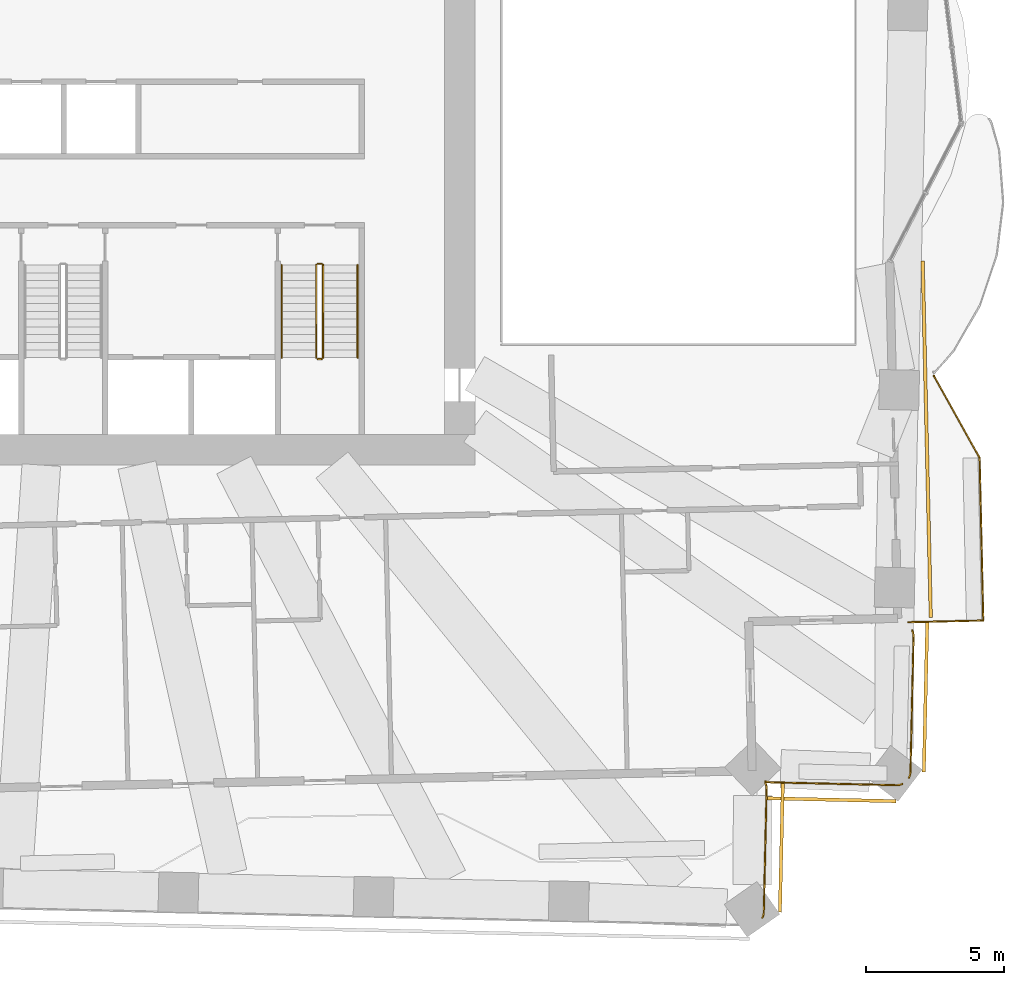
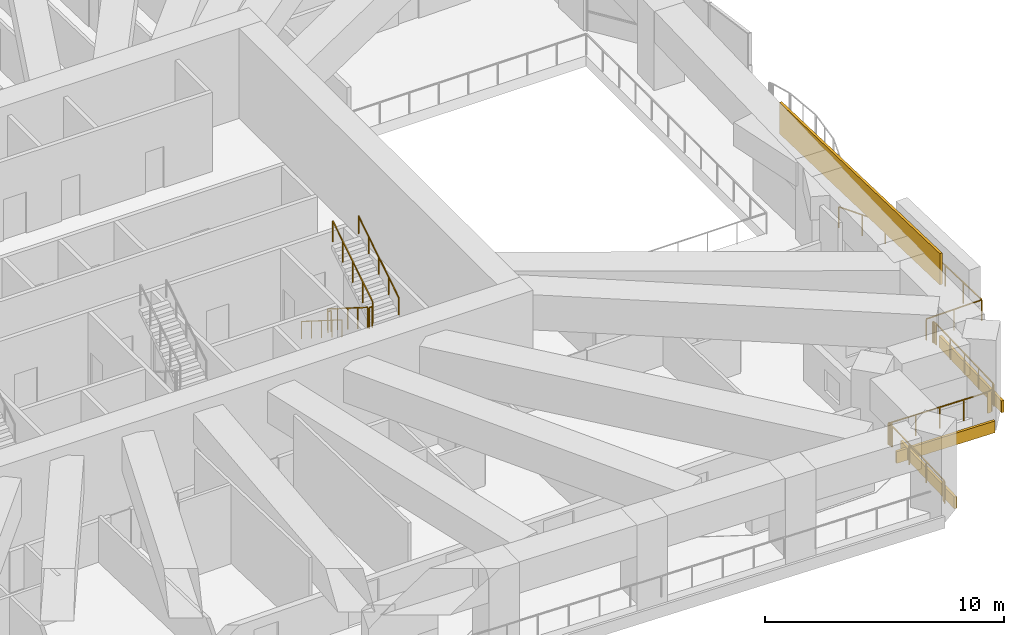
# One storey, part 18 of 20: 10 railings, 4 coverings.
"""IFC4 building model written with IfcOpenShell, lengths in metres."""

from ifc_helpers import new_model, si_unit, direction, frame, frame_2d, origin, origin_2d, place, context, subcontext, project, spatial, rectangle, circle, extrude, material, layer, layer_set, type_object, element, save


model = new_model("IFC4")

# Units and contexts
model_context = context("Model", 3, precision=1e-05, world=origin(), true_north=direction((0.0, 1.0)))
body_context = subcontext(model_context, "Body", "Model", "MODEL_VIEW")
ifc_project = project(units=[si_unit("LENGTHUNIT", "METRE"), si_unit("AREAUNIT", "SQUARE_METRE"), si_unit("VOLUMEUNIT", "CUBIC_METRE"), si_unit("PLANEANGLEUNIT", "RADIAN"), si_unit("MASSUNIT", "GRAM", prefix="KILO")], contexts=[model_context])

# Site, building, storey
site_placement = place(None, origin())
site = spatial("IfcSite", under=ifc_project, at=site_placement, CompositionType="ELEMENT")
building_placement = place(site_placement, origin())
building = spatial("IfcBuilding", under=site, at=building_placement, Name="Mangrove Gate Tower", CompositionType="ELEMENT")
storey_placement = place(building_placement, frame((0.0, 0.0, 74.699951171875)))
storey = spatial("IfcBuildingStorey", under=building, at=storey_placement, Name="L18", CompositionType="ELEMENT", Elevation=74.699951171875)

# Railings
ifc_material_1 = material(Name="Stainless steel grade 316 with laminated glass infill", Category="steel")
railing_type_1 = type_object("IfcRailingType", Name="Balcony guard 1100", PredefinedType="GUARDRAIL", material=ifc_material_1)
railing_1_placement = place(storey_placement, frame((30.6220703125, -17.596923828125, 0.0)))
element("IfcRailing", 1, at=railing_1_placement, inside=storey, type_object=railing_type_1, Name="GUARD L18 E1", PredefinedType="GUARDRAIL", context=body_context, shape_type="SweptSolid", body=[
    extrude(rectangle(XDim=0.048095703125, YDim=0.048095703125, at=origin_2d()), frame((0.0, 0.0, 1.076171875), z_axis=(0.999737723054, 0.02290163976, 0.0), x_axis=(-0.02290163976, 0.999737723054, 0.0)), (0.0, 0.0, 1.0), 2.707763671875),
    extrude(rectangle(XDim=0.048095703125, YDim=0.048095703125, at=origin_2d()), frame((2.70703125, 0.06201171875, 1.076171875), z_axis=(-0.02255407589, 0.999745624477, 0.0), x_axis=(-0.999745624477, -0.02255407589, 0.0)), (0.0, 0.0, 1.0), 5.8994140625),
    extrude(rectangle(XDim=0.048095703125, YDim=0.048095703125, at=origin_2d()), frame((2.573974609375, 5.9599609375, 1.076171875), z_axis=(-0.487321517922, 0.873222616616, 0.0), x_axis=(-0.873222616616, -0.487321517922, 0.0)), (0.0, 0.0, 1.0), 3.394287109375),
    extrude(rectangle(XDim=0.0419921875, YDim=0.0419921875, at=origin_2d()), origin(), (0.0, 0.0, 1.0), 1.052001953125),
    extrude(rectangle(XDim=0.0419921875, YDim=0.0419921875, at=origin_2d()), frame((1.353515625, 0.031005859375, 0.0)), (0.0, 0.0, 1.0), 1.052001953125),
    extrude(rectangle(XDim=0.0419921875, YDim=0.0419921875, at=origin_2d()), frame((2.70703125, 0.06201171875, 0.0)), (0.0, 0.0, 1.0), 1.052001953125),
    extrude(rectangle(XDim=0.0419921875, YDim=0.0419921875, at=origin_2d()), frame((2.673828125, 1.53662109375, 0.0)), (0.0, 0.0, 1.0), 1.052001953125),
    extrude(rectangle(XDim=0.0419921875, YDim=0.0419921875, at=origin_2d()), frame((2.640625, 3.010986328125, 0.0)), (0.0, 0.0, 1.0), 1.052001953125),
    extrude(rectangle(XDim=0.0419921875, YDim=0.0419921875, at=origin_2d()), frame((2.607177734375, 4.4853515625, 0.0)), (0.0, 0.0, 1.0), 1.052001953125),
    extrude(rectangle(XDim=0.0419921875, YDim=0.0419921875, at=origin_2d()), frame((2.573974609375, 5.9599609375, 0.0)), (0.0, 0.0, 1.0), 1.052001953125),
    extrude(rectangle(XDim=0.0419921875, YDim=0.0419921875, at=origin_2d()), frame((2.022705078125, 6.947998046875, 0.0)), (0.0, 0.0, 1.0), 1.052001953125),
    extrude(rectangle(XDim=0.0419921875, YDim=0.0419921875, at=origin_2d()), frame((1.47119140625, 7.935791015625, 0.0)), (0.0, 0.0, 1.0), 1.052001953125),
    extrude(rectangle(XDim=0.0419921875, YDim=0.0419921875, at=origin_2d()), frame((0.919921875, 8.923828125, 0.0)), (0.0, 0.0, 1.0), 1.052001953125),
])
railing_2_placement = place(storey_placement, frame((30.757080078125, -17.89794921875, 0.0)))
element("IfcRailing", 2, at=railing_2_placement, inside=storey, type_object=railing_type_1, Name="GUARD L18 T4.1", PredefinedType="GUARDRAIL", context=body_context, shape_type="SweptSolid", body=[
    extrude(rectangle(XDim=0.048095703125, YDim=0.048095703125, at=origin_2d()), frame((0.0, 0.0, 1.076171875), z_axis=(0.411288866935, -0.911505056451, 0.0), x_axis=(0.911505056451, 0.411288866935, 0.0)), (0.0, 0.0, 1.0), 0.02197265625),
    extrude(rectangle(XDim=0.048095703125, YDim=0.048095703125, at=origin_2d()), frame((0.009033203125, -0.02001953125, 1.076171875), z_axis=(0.330563814054, -0.943783643023, 0.0), x_axis=(0.943783643023, 0.330563814054, 0.0)), (0.0, 0.0, 1.0), 0.051025390625),
    extrude(rectangle(XDim=0.048095703125, YDim=0.048095703125, at=origin_2d()), frame((0.02587890625, -0.068115234375, 1.076171875), z_axis=(0.219512195122, -0.975609756098, 0.0), x_axis=(0.975609756098, 0.219512195122, 0.0)), (0.0, 0.0, 1.0), 0.050048828125),
    extrude(rectangle(XDim=0.048095703125, YDim=0.048095703125, at=origin_2d()), frame((0.036865234375, -0.116943359375, 1.076171875), z_axis=(0.140068835515, -0.990141768293, 0.0), x_axis=(0.990141768293, 0.140068835515, 0.0)), (0.0, 0.0, 1.0), 0.050537109375),
    extrude(rectangle(XDim=0.048095703125, YDim=0.048095703125, at=origin_2d()), frame((0.0439453125, -0.1669921875, 1.076171875), z_axis=(0.019508481785, -0.999809691461, 0.0), x_axis=(0.999809691461, 0.019508481785, 0.0)), (0.0, 0.0, 1.0), 0.050048828125),
    extrude(rectangle(XDim=0.048095703125, YDim=0.048095703125, at=origin_2d()), frame((0.044921875, -0.217041015625, 1.076171875), z_axis=(-0.022664829073, -0.999743119768, 0.0), x_axis=(0.999743119768, -0.022664829073, 0.0)), (0.0, 0.0, 1.0), 4.901123046875),
    extrude(rectangle(XDim=0.048095703125, YDim=0.048095703125, at=origin_2d()), frame((-0.066162109375, -5.116943359375, 1.076171875), z_axis=(-0.079350984209, -0.996846739125, 0.0), x_axis=(0.996846739125, -0.079350984209, 0.0)), (0.0, 0.0, 1.0), 0.04931640625),
    extrude(rectangle(XDim=0.048095703125, YDim=0.048095703125, at=origin_2d()), frame((-0.070068359375, -5.166015625, 1.076171875), z_axis=(-0.162010149383, -0.986789091699, 0.0), x_axis=(0.986789091699, -0.162010149383, 0.0)), (0.0, 0.0, 1.0), 0.0498046875),
    extrude(rectangle(XDim=0.048095703125, YDim=0.048095703125, at=origin_2d()), frame((-0.078125, -5.215087890625, 1.076171875), z_axis=(-0.266089874363, -0.963948224108, 0.0), x_axis=(0.963948224108, -0.266089874363, 0.0)), (0.0, 0.0, 1.0), 0.048583984375),
    extrude(rectangle(XDim=0.048095703125, YDim=0.048095703125, at=origin_2d()), frame((-0.091064453125, -5.261962890625, 1.076171875), z_axis=(-0.364585106892, -0.931170070305, 0.0), x_axis=(0.931170070305, -0.364585106892, 0.0)), (0.0, 0.0, 1.0), 0.049560546875),
    extrude(rectangle(XDim=0.048095703125, YDim=0.048095703125, at=origin_2d()), frame((-0.109130859375, -5.30810546875, 1.076171875), z_axis=(-0.43301833784, -0.901385111422, 0.0), x_axis=(0.901385111422, -0.43301833784, 0.0)), (0.0, 0.0, 1.0), 0.027587890625),
    extrude(rectangle(XDim=0.0419921875, YDim=0.0419921875, at=origin_2d()), origin(), (0.0, 0.0, 1.0), 1.052001953125),
    extrude(rectangle(XDim=0.0419921875, YDim=0.0419921875, at=origin_2d()), frame((0.009033203125, -0.02001953125, 0.0)), (0.0, 0.0, 1.0), 1.052001953125),
    extrude(rectangle(XDim=0.0419921875, YDim=0.0419921875, at=origin_2d()), frame((0.02587890625, -0.068115234375, 0.0)), (0.0, 0.0, 1.0), 1.052001953125),
    extrude(rectangle(XDim=0.0419921875, YDim=0.0419921875, at=origin_2d()), frame((0.036865234375, -0.116943359375, 0.0)), (0.0, 0.0, 1.0), 1.052001953125),
    extrude(rectangle(XDim=0.0419921875, YDim=0.0419921875, at=origin_2d()), frame((0.0439453125, -0.1669921875, 0.0)), (0.0, 0.0, 1.0), 1.052001953125),
    extrude(rectangle(XDim=0.0419921875, YDim=0.0419921875, at=origin_2d()), frame((0.044921875, -0.217041015625, 0.0)), (0.0, 0.0, 1.0), 1.052001953125),
    extrude(rectangle(XDim=0.0419921875, YDim=0.0419921875, at=origin_2d()), frame((0.01708984375, -1.44189453125, 0.0)), (0.0, 0.0, 1.0), 1.052001953125),
    extrude(rectangle(XDim=0.0419921875, YDim=0.0419921875, at=origin_2d()), frame((-0.0107421875, -2.6669921875, 0.0)), (0.0, 0.0, 1.0), 1.052001953125),
    extrude(rectangle(XDim=0.0419921875, YDim=0.0419921875, at=origin_2d()), frame((-0.038330078125, -3.89208984375, 0.0)), (0.0, 0.0, 1.0), 1.052001953125),
    extrude(rectangle(XDim=0.0419921875, YDim=0.0419921875, at=origin_2d()), frame((-0.066162109375, -5.116943359375, 0.0)), (0.0, 0.0, 1.0), 1.052001953125),
    extrude(rectangle(XDim=0.0419921875, YDim=0.0419921875, at=origin_2d()), frame((-0.070068359375, -5.166015625, 0.0)), (0.0, 0.0, 1.0), 1.052001953125),
    extrude(rectangle(XDim=0.0419921875, YDim=0.0419921875, at=origin_2d()), frame((-0.078125, -5.215087890625, 0.0)), (0.0, 0.0, 1.0), 1.052001953125),
    extrude(rectangle(XDim=0.0419921875, YDim=0.0419921875, at=origin_2d()), frame((-0.091064453125, -5.261962890625, 0.0)), (0.0, 0.0, 1.0), 1.052001953125),
    extrude(rectangle(XDim=0.0419921875, YDim=0.0419921875, at=origin_2d()), frame((-0.109130859375, -5.30810546875, 0.0)), (0.0, 0.0, 1.0), 1.052001953125),
    extrude(rectangle(XDim=0.0419921875, YDim=0.0419921875, at=origin_2d()), frame((-0.12109375, -5.3330078125, 0.0)), (0.0, 0.0, 1.0), 1.052001953125),
])
railing_3_placement = place(storey_placement, frame((30.39697265625, -23.458984375, 0.0)))
element("IfcRailing", 3, at=railing_3_placement, inside=storey, type_object=railing_type_1, Name="GUARD L18 T4.2", PredefinedType="GUARDRAIL", context=body_context, shape_type="SweptSolid", body=[
    extrude(rectangle(XDim=0.048095703125, YDim=0.048095703125, at=origin_2d()), frame((0.0, 0.0, 1.076171875), z_axis=(-0.914917801573, -0.403640206576, 0.0), x_axis=(0.403640206576, -0.914917801573, 0.0)), (0.0, 0.0, 1.0), 0.027099609375),
    extrude(rectangle(XDim=0.048095703125, YDim=0.048095703125, at=origin_2d()), frame((-0.02490234375, -0.010986328125, 1.076171875), z_axis=(-0.94620349056, -0.323572178119, 0.0), x_axis=(0.323572178119, -0.94620349056, 0.0)), (0.0, 0.0, 1.0), 0.0498046875),
    extrude(rectangle(XDim=0.048095703125, YDim=0.048095703125, at=origin_2d()), frame((-0.072021484375, -0.027099609375, 1.076171875), z_axis=(-0.974642013371, -0.223769850009, 0.0), x_axis=(0.223769850009, -0.974642013371, 0.0)), (0.0, 0.0, 1.0), 0.049072265625),
    extrude(rectangle(XDim=0.048095703125, YDim=0.048095703125, at=origin_2d()), frame((-0.119873046875, -0.0380859375, 1.076171875), z_axis=(-0.992660638295, -0.120933275731, 0.0), x_axis=(0.120933275731, -0.992660638295, 0.0)), (0.0, 0.0, 1.0), 0.04833984375),
    extrude(rectangle(XDim=0.048095703125, YDim=0.048095703125, at=origin_2d()), frame((-0.16796875, -0.0439453125, 1.076171875), z_axis=(-0.999802043895, -0.019896558087, 0.0), x_axis=(0.019896558087, -0.999802043895, 0.0)), (0.0, 0.0, 1.0), 0.049072265625),
    extrude(rectangle(XDim=0.048095703125, YDim=0.048095703125, at=origin_2d()), frame((-0.217041015625, -0.044921875, 1.076171875), z_axis=(-0.999743616102, 0.02264292522, 0.0), x_axis=(-0.02264292522, -0.999743616102, 0.0)), (0.0, 0.0, 1.0), 4.59326171875),
    extrude(rectangle(XDim=0.048095703125, YDim=0.048095703125, at=origin_2d()), frame((-4.80908203125, 0.05908203125, 1.076171875), z_axis=(-0.996684615823, 0.081362009455, 0.0), x_axis=(-0.081362009455, -0.996684615823, 0.0)), (0.0, 0.0, 1.0), 0.048095703125),
    extrude(rectangle(XDim=0.048095703125, YDim=0.048095703125, at=origin_2d()), frame((-4.85693359375, 0.06298828125, 1.076171875), z_axis=(-0.988898738041, 0.148591002089, 0.0), x_axis=(-0.148591002089, -0.988898738041, 0.0)), (0.0, 0.0, 1.0), 0.047607421875),
    extrude(rectangle(XDim=0.048095703125, YDim=0.048095703125, at=origin_2d()), frame((-4.904052734375, 0.070068359375, 1.076171875), z_axis=(-0.96248396523, 0.271338564666, 0.0), x_axis=(-0.271338564666, -0.96248396523, 0.0)), (0.0, 0.0, 1.0), 0.047607421875),
    extrude(rectangle(XDim=0.048095703125, YDim=0.048095703125, at=origin_2d()), frame((-4.949951171875, 0.0830078125, 1.076171875), z_axis=(-0.959737407008, 0.280898753271, 0.0), x_axis=(-0.280898753271, -0.959737407008, 0.0)), (0.0, 0.0, 1.0), 0.010498046875),
    extrude(rectangle(XDim=0.0419921875, YDim=0.0419921875, at=origin_2d()), origin(), (0.0, 0.0, 1.0), 1.052001953125),
    extrude(rectangle(XDim=0.0419921875, YDim=0.0419921875, at=origin_2d()), frame((-0.02490234375, -0.010986328125, 0.0)), (0.0, 0.0, 1.0), 1.052001953125),
    extrude(rectangle(XDim=0.0419921875, YDim=0.0419921875, at=origin_2d()), frame((-0.072021484375, -0.027099609375, 0.0)), (0.0, 0.0, 1.0), 1.052001953125),
    extrude(rectangle(XDim=0.0419921875, YDim=0.0419921875, at=origin_2d()), frame((-0.119873046875, -0.0380859375, 0.0)), (0.0, 0.0, 1.0), 1.052001953125),
    extrude(rectangle(XDim=0.0419921875, YDim=0.0419921875, at=origin_2d()), frame((-0.16796875, -0.0439453125, 0.0)), (0.0, 0.0, 1.0), 1.052001953125),
    extrude(rectangle(XDim=0.0419921875, YDim=0.0419921875, at=origin_2d()), frame((-0.217041015625, -0.044921875, 0.0)), (0.0, 0.0, 1.0), 1.052001953125),
    extrude(rectangle(XDim=0.0419921875, YDim=0.0419921875, at=origin_2d()), frame((-1.364990234375, -0.01904296875, 0.0)), (0.0, 0.0, 1.0), 1.052001953125),
    extrude(rectangle(XDim=0.0419921875, YDim=0.0419921875, at=origin_2d()), frame((-2.51318359375, 0.007080078125, 0.0)), (0.0, 0.0, 1.0), 1.052001953125),
    extrude(rectangle(XDim=0.0419921875, YDim=0.0419921875, at=origin_2d()), frame((-3.6611328125, 0.033203125, 0.0)), (0.0, 0.0, 1.0), 1.052001953125),
    extrude(rectangle(XDim=0.0419921875, YDim=0.0419921875, at=origin_2d()), frame((-4.80908203125, 0.05908203125, 0.0)), (0.0, 0.0, 1.0), 1.052001953125),
    extrude(rectangle(XDim=0.0419921875, YDim=0.0419921875, at=origin_2d()), frame((-4.85693359375, 0.06298828125, 0.0)), (0.0, 0.0, 1.0), 1.052001953125),
    extrude(rectangle(XDim=0.0419921875, YDim=0.0419921875, at=origin_2d()), frame((-4.904052734375, 0.070068359375, 0.0)), (0.0, 0.0, 1.0), 1.052001953125),
    extrude(rectangle(XDim=0.0419921875, YDim=0.0419921875, at=origin_2d()), frame((-4.949951171875, 0.0830078125, 0.0)), (0.0, 0.0, 1.0), 1.052001953125),
    extrude(rectangle(XDim=0.0419921875, YDim=0.0419921875, at=origin_2d()), frame((-4.9599609375, 0.0859375, 0.0)), (0.0, 0.0, 1.0), 1.052001953125),
])
railing_4_placement = place(storey_placement, frame((25.429931640625, -23.419921875, 0.0)))
element("IfcRailing", 4, at=railing_4_placement, inside=storey, type_object=railing_type_1, Name="GUARD L18 T4.3", PredefinedType="GUARDRAIL", context=body_context, shape_type="SweptSolid", body=[
    extrude(rectangle(XDim=0.048095703125, YDim=0.048095703125, at=origin_2d()), frame((0.0, 0.0, 1.076171875), z_axis=(0.4472135955, -0.894427191, 0.0), x_axis=(0.894427191, 0.4472135955, 0.0)), (0.0, 0.0, 1.0), 0.0224609375),
    extrude(rectangle(XDim=0.048095703125, YDim=0.048095703125, at=origin_2d()), frame((0.010009765625, -0.02001953125, 1.076171875), z_axis=(0.317671360445, -0.948200878903, 0.0), x_axis=(0.948200878903, 0.317671360445, 0.0)), (0.0, 0.0, 1.0), 0.05078125),
    extrude(rectangle(XDim=0.048095703125, YDim=0.048095703125, at=origin_2d()), frame((0.026123046875, -0.068115234375, 1.076171875), z_axis=(0.218472344851, -0.975843140333, 0.0), x_axis=(0.975843140333, 0.218472344851, 0.0)), (0.0, 0.0, 1.0), 0.05029296875),
    extrude(rectangle(XDim=0.048095703125, YDim=0.048095703125, at=origin_2d()), frame((0.037109375, -0.1171875, 1.076171875), z_axis=(0.140741879372, -0.990046323861, 0.0), x_axis=(0.990046323861, 0.140741879372, 0.0)), (0.0, 0.0, 1.0), 0.05029296875),
    extrude(rectangle(XDim=0.048095703125, YDim=0.048095703125, at=origin_2d()), frame((0.044189453125, -0.1669921875, 1.076171875), z_axis=(0.019135251757, -0.999816904308, 0.0), x_axis=(0.999816904308, 0.019135251757, 0.0)), (0.0, 0.0, 1.0), 0.051025390625),
    extrude(rectangle(XDim=0.048095703125, YDim=0.048095703125, at=origin_2d()), frame((0.045166015625, -0.218017578125, 1.076171875), z_axis=(-0.022666683142, -0.999743077733, 0.0), x_axis=(0.999743077733, -0.022666683142, 0.0)), (0.0, 0.0, 1.0), 4.459228515625),
    extrude(rectangle(XDim=0.048095703125, YDim=0.048095703125, at=origin_2d()), frame((-0.055908203125, -4.676025390625, 1.076171875), z_axis=(-0.059595380047, -0.998222615791, 0.0), x_axis=(0.998222615791, -0.059595380047, 0.0)), (0.0, 0.0, 1.0), 0.049072265625),
    extrude(rectangle(XDim=0.048095703125, YDim=0.048095703125, at=origin_2d()), frame((-0.058837890625, -4.72509765625, 1.076171875), z_axis=(-0.184589743724, -0.982815662529, 0.0), x_axis=(0.982815662529, -0.184589743724, 0.0)), (0.0, 0.0, 1.0), 0.048828125),
    extrude(rectangle(XDim=0.048095703125, YDim=0.048095703125, at=origin_2d()), frame((-0.06787109375, -4.773193359375, 1.076171875), z_axis=(-0.261033073796, -0.965329857813, 0.0), x_axis=(0.965329857813, -0.261033073796, 0.0)), (0.0, 0.0, 1.0), 0.049560546875),
    extrude(rectangle(XDim=0.048095703125, YDim=0.048095703125, at=origin_2d()), frame((-0.080810546875, -4.821044921875, 1.076171875), z_axis=(-0.347314355824, -0.937748760724, 0.0), x_axis=(0.937748760724, -0.347314355824, 0.0)), (0.0, 0.0, 1.0), 0.04931640625),
    extrude(rectangle(XDim=0.048095703125, YDim=0.048095703125, at=origin_2d()), frame((-0.097900390625, -4.8671875, 1.076171875), z_axis=(-0.461078797779, -0.887359195726, 0.0), x_axis=(0.887359195726, -0.461078797779, 0.0)), (0.0, 0.0, 1.0), 0.028076171875),
    extrude(rectangle(XDim=0.0419921875, YDim=0.0419921875, at=origin_2d()), origin(), (0.0, 0.0, 1.0), 1.052001953125),
    extrude(rectangle(XDim=0.0419921875, YDim=0.0419921875, at=origin_2d()), frame((0.010009765625, -0.02001953125, 0.0)), (0.0, 0.0, 1.0), 1.052001953125),
    extrude(rectangle(XDim=0.0419921875, YDim=0.0419921875, at=origin_2d()), frame((0.026123046875, -0.068115234375, 0.0)), (0.0, 0.0, 1.0), 1.052001953125),
    extrude(rectangle(XDim=0.0419921875, YDim=0.0419921875, at=origin_2d()), frame((0.037109375, -0.1171875, 0.0)), (0.0, 0.0, 1.0), 1.052001953125),
    extrude(rectangle(XDim=0.0419921875, YDim=0.0419921875, at=origin_2d()), frame((0.044189453125, -0.1669921875, 0.0)), (0.0, 0.0, 1.0), 1.052001953125),
    extrude(rectangle(XDim=0.0419921875, YDim=0.0419921875, at=origin_2d()), frame((0.045166015625, -0.218017578125, 0.0)), (0.0, 0.0, 1.0), 1.052001953125),
    extrude(rectangle(XDim=0.0419921875, YDim=0.0419921875, at=origin_2d()), frame((0.011474609375, -1.7041015625, 0.0)), (0.0, 0.0, 1.0), 1.052001953125),
    extrude(rectangle(XDim=0.0419921875, YDim=0.0419921875, at=origin_2d()), frame((-0.022216796875, -3.18994140625, 0.0)), (0.0, 0.0, 1.0), 1.052001953125),
    extrude(rectangle(XDim=0.0419921875, YDim=0.0419921875, at=origin_2d()), frame((-0.055908203125, -4.676025390625, 0.0)), (0.0, 0.0, 1.0), 1.052001953125),
    extrude(rectangle(XDim=0.0419921875, YDim=0.0419921875, at=origin_2d()), frame((-0.058837890625, -4.72509765625, 0.0)), (0.0, 0.0, 1.0), 1.052001953125),
    extrude(rectangle(XDim=0.0419921875, YDim=0.0419921875, at=origin_2d()), frame((-0.06787109375, -4.773193359375, 0.0)), (0.0, 0.0, 1.0), 1.052001953125),
    extrude(rectangle(XDim=0.0419921875, YDim=0.0419921875, at=origin_2d()), frame((-0.080810546875, -4.821044921875, 0.0)), (0.0, 0.0, 1.0), 1.052001953125),
    extrude(rectangle(XDim=0.0419921875, YDim=0.0419921875, at=origin_2d()), frame((-0.097900390625, -4.8671875, 0.0)), (0.0, 0.0, 1.0), 1.052001953125),
    extrude(rectangle(XDim=0.0419921875, YDim=0.0419921875, at=origin_2d()), frame((-0.11083984375, -4.89208984375, 0.0)), (0.0, 0.0, 1.0), 1.052001953125),
])
ifc_material_2 = material(Name="Stainless steel 316", Category="steel")
railing_type_2 = type_object("IfcRailingType", Name="Core stair guard 1100", PredefinedType="GUARDRAIL", material=ifc_material_2)
railing_5_placement = place(storey_placement, frame((9.14990234375, -4.64990234375, 0.177001953125)))
element("IfcRailing", 5, at=railing_5_placement, inside=storey, type_object=railing_type_2, Name="L18 ST3 stair guard 1", PredefinedType="GUARDRAIL", context=body_context, shape_type="SweptSolid", body=[
    extrude(rectangle(XDim=0.048095703125, YDim=0.048095703125, at=origin_2d()), frame((0.0, 0.0, 1.076171875), z_axis=(0.0, -0.845389635667, 0.534150132366), x_axis=(1.0, 0.0, 0.0)), (0.0, 0.0, 1.0), 3.974609375),
    extrude(rectangle(XDim=0.0419921875, YDim=0.0419921875, at=origin_2d()), origin(), (0.0, 0.0, 1.0), 1.052001953125),
    extrude(rectangle(XDim=0.0419921875, YDim=0.0419921875, at=origin_2d()), frame((0.0, -0.840087890625, 0.53076171875)), (0.0, 0.0, 1.0), 1.052001953125),
    extrude(rectangle(XDim=0.0419921875, YDim=0.0419921875, at=origin_2d()), frame((0.0, -1.68017578125, 1.0615234375)), (0.0, 0.0, 1.0), 1.052001953125),
    extrude(rectangle(XDim=0.0419921875, YDim=0.0419921875, at=origin_2d()), frame((0.0, -2.52001953125, 1.59228515625)), (0.0, 0.0, 1.0), 1.052001953125),
    extrude(rectangle(XDim=0.0419921875, YDim=0.0419921875, at=origin_2d()), frame((0.0, -3.360107421875, 2.123046875)), (0.0, 0.0, 1.0), 1.052001953125),
])
railing_6_placement = place(storey_placement, frame((9.199951171875, -8.06005859375, 2.300048828125)))
element("IfcRailing", 6, at=railing_6_placement, inside=storey, type_object=railing_type_2, Name="L18 ST3 stair guard 2", PredefinedType="GUARDRAIL", context=body_context, shape_type="SweptSolid", body=[
    extrude(rectangle(XDim=0.048095703125, YDim=0.048095703125, at=origin_2d()), frame((0.0, 0.0, 1.076171875), z_axis=(1.0, 0.0, 0.0), x_axis=(0.0, 1.0, 0.0)), (0.0, 0.0, 1.0), 0.150146484375),
    extrude(rectangle(XDim=0.0419921875, YDim=0.0419921875, at=origin_2d()), origin(), (0.0, 0.0, 1.0), 1.052001953125),
    extrude(rectangle(XDim=0.0419921875, YDim=0.0419921875, at=origin_2d()), frame((0.150146484375, 0.0, 0.0)), (0.0, 0.0, 1.0), 1.052001953125),
])
railing_7_placement = place(storey_placement, frame((9.39990234375, -8.010009765625, 2.47705078125)))
element("IfcRailing", 7, at=railing_7_placement, inside=storey, type_object=railing_type_2, Name="L18 ST3 stair guard 3", PredefinedType="GUARDRAIL", context=body_context, shape_type="SweptSolid", body=[
    extrude(rectangle(XDim=0.048095703125, YDim=0.048095703125, at=origin_2d()), frame((0.0, 0.0, 1.076171875), z_axis=(0.0, 0.845389635667, 0.534150132366), x_axis=(-1.0, 0.0, 0.0)), (0.0, 0.0, 1.0), 3.974609375),
    extrude(rectangle(XDim=0.0419921875, YDim=0.0419921875, at=origin_2d()), origin(), (0.0, 0.0, 1.0), 1.052001953125),
    extrude(rectangle(XDim=0.0419921875, YDim=0.0419921875, at=origin_2d()), frame((0.0, 0.840087890625, 0.53076171875)), (0.0, 0.0, 1.0), 1.052001953125),
    extrude(rectangle(XDim=0.0419921875, YDim=0.0419921875, at=origin_2d()), frame((0.0, 1.68017578125, 1.0615234375)), (0.0, 0.0, 1.0), 1.052001953125),
    extrude(rectangle(XDim=0.0419921875, YDim=0.0419921875, at=origin_2d()), frame((0.0, 2.52001953125, 1.59228515625)), (0.0, 0.0, 1.0), 1.052001953125),
    extrude(rectangle(XDim=0.0419921875, YDim=0.0419921875, at=origin_2d()), frame((0.0, 3.360107421875, 2.123046875)), (0.0, 0.0, 1.0), 1.052001953125),
])
railing_8_placement = place(storey_placement, frame((9.199951171875, -4.60009765625, 0.0)))
element("IfcRailing", 8, at=railing_8_placement, inside=storey, type_object=railing_type_2, Name="L18 ST3 stair guard 4", PredefinedType="GUARDRAIL", context=body_context, shape_type="SweptSolid", body=[
    extrude(rectangle(XDim=0.048095703125, YDim=0.048095703125, at=origin_2d()), frame((0.0, 0.0, 1.076171875), z_axis=(1.0, 0.0, 0.0), x_axis=(0.0, 1.0, 0.0)), (0.0, 0.0, 1.0), 0.150146484375),
    extrude(rectangle(XDim=0.0419921875, YDim=0.0419921875, at=origin_2d()), origin(), (0.0, 0.0, 1.0), 1.052001953125),
    extrude(rectangle(XDim=0.0419921875, YDim=0.0419921875, at=origin_2d()), frame((0.150146484375, 0.0, 0.0)), (0.0, 0.0, 1.0), 1.052001953125),
])
ifc_material_3 = material(Name="Stainless steel 316", Category="steel")
railing_type_3 = type_object("IfcRailingType", Name="Core stair handrail 900", PredefinedType="HANDRAIL", material=ifc_material_3)
railing_9_placement = place(storey_placement, frame((7.89990234375, -4.64990234375, 0.177001953125)))
element("IfcRailing", 9, at=railing_9_placement, inside=storey, type_object=railing_type_3, Name="L18 ST3 stair handrail 1", PredefinedType="HANDRAIL", context=body_context, shape_type="SweptSolid", body=[
    extrude(circle(Radius=0.02392578125, at=origin_2d()), frame((0.0, 0.0, 0.8759765625), z_axis=(0.0, -0.845389635667, 0.534150132366), x_axis=(1.0, 0.0, 0.0)), (0.0, 0.0, 1.0), 3.974609375),
    extrude(circle(Radius=0.02099609375, at=origin_2d()), origin(), (0.0, 0.0, 1.0), 0.851806640625),
    extrude(circle(Radius=0.02099609375, at=origin_2d()), frame((0.0, -0.840087890625, 0.53076171875)), (0.0, 0.0, 1.0), 0.851806640625),
    extrude(circle(Radius=0.02099609375, at=origin_2d()), frame((0.0, -1.68017578125, 1.0615234375)), (0.0, 0.0, 1.0), 0.851806640625),
    extrude(circle(Radius=0.02099609375, at=origin_2d()), frame((0.0, -2.52001953125, 1.59228515625)), (0.0, 0.0, 1.0), 0.851806640625),
    extrude(circle(Radius=0.02099609375, at=origin_2d()), frame((0.0, -3.360107421875, 2.123046875)), (0.0, 0.0, 1.0), 0.851806640625),
])
railing_10_placement = place(storey_placement, frame((10.64990234375, -8.010009765625, 2.47705078125)))
element("IfcRailing", 10, at=railing_10_placement, inside=storey, type_object=railing_type_3, Name="L18 ST3 stair handrail 2", PredefinedType="HANDRAIL", context=body_context, shape_type="SweptSolid", body=[
    extrude(circle(Radius=0.02392578125, at=origin_2d()), frame((0.0, 0.0, 0.8759765625), z_axis=(0.0, 0.845389635667, 0.534150132366), x_axis=(-1.0, 0.0, 0.0)), (0.0, 0.0, 1.0), 3.974609375),
    extrude(circle(Radius=0.02099609375, at=origin_2d()), origin(), (0.0, 0.0, 1.0), 0.851806640625),
    extrude(circle(Radius=0.02099609375, at=origin_2d()), frame((0.0, 0.840087890625, 0.53076171875)), (0.0, 0.0, 1.0), 0.851806640625),
    extrude(circle(Radius=0.02099609375, at=origin_2d()), frame((0.0, 1.68017578125, 1.0615234375)), (0.0, 0.0, 1.0), 0.851806640625),
    extrude(circle(Radius=0.02099609375, at=origin_2d()), frame((0.0, 2.52001953125, 1.59228515625)), (0.0, 0.0, 1.0), 0.851806640625),
    extrude(circle(Radius=0.02099609375, at=origin_2d()), frame((0.0, 3.360107421875, 2.123046875)), (0.0, 0.0, 1.0), 0.851806640625),
])

# Coverings
ifc_material_4 = material(Name="Limestone", Category="masonry")
ifc_layer_1 = layer(ifc_material_4, 0.0400390625, Name="Limestone cladding")
ifc_material_5 = material(Name="Stainless steel anchors and cavity", Category="steel")
ifc_layer_2 = layer(ifc_material_5, 0.080078125, Name="Fixing cavity")
ifc_layer_set = layer_set([ifc_layer_1, ifc_layer_2], Name="Joint fascia cladding 120")
covering_type = type_object("IfcCoveringType", Name="Joint fascia cladding 120", PredefinedType="CLADDING", material=ifc_layer_set)
covering_1_placement = place(storey_placement, frame((31.427001953125, -17.427978515625, 2.449951171875), z_axis=(0.0, 0.0, 1.0), x_axis=(-0.022734702163, 0.999741533256, 0.0)))
element("IfcCovering", 11, at=covering_1_placement, inside=storey, type_object=covering_type, Name="STONE FASCIA L18 E0.1", PredefinedType="CLADDING", context=body_context, shape_type="SweptSolid", body=[
    extrude(rectangle(XDim=12.929443359375, YDim=0.1201171875, at=frame_2d((6.46484375, 0.0))), origin(), (0.0, 0.0, 1.0), 1.60009765625),
])
covering_2_placement = place(storey_placement, frame((31.29931640625, -17.583740234375, -0.599853515625), z_axis=(0.0, 0.0, 1.0), x_axis=(-0.022649071635, -0.999743476875, 0.0)))
element("IfcCovering", 12, at=covering_2_placement, inside=storey, type_object=covering_type, Name="STONE FASCIA L18 TB14-1.1", PredefinedType="CLADDING", context=body_context, shape_type="SweptSolid", body=[
    extrude(rectangle(XDim=5.443603515625, YDim=0.1201171875, at=frame_2d((2.7216796875, 0.0))), origin(), (0.0, 0.0, 1.0), 0.599853515625),
])
covering_3_placement = place(storey_placement, frame((30.166015625, -24.083984375, -0.599853515625), z_axis=(0.0, 0.0, 1.0), x_axis=(-0.999743495554, 0.022648247119, 0.0)))
element("IfcCovering", 13, at=covering_3_placement, inside=storey, type_object=covering_type, Name="STONE FASCIA L18 TB14-2.1", PredefinedType="CLADDING", context=body_context, shape_type="SweptSolid", body=[
    extrude(rectangle(XDim=4.699951171875, YDim=0.1201171875, at=frame_2d((2.35009765625, 0.0))), origin(), (0.0, 0.0, 1.0), 0.599853515625),
])
covering_4_placement = place(storey_placement, frame((26.064453125, -23.410888671875, -0.599853515625), z_axis=(0.0, 0.0, 1.0), x_axis=(-0.022651776189, -0.9997434156, 0.0)))
element("IfcCovering", 14, at=covering_4_placement, inside=storey, type_object=covering_type, Name="STONE FASCIA L18 TB14-3.1", PredefinedType="CLADDING", context=body_context, shape_type="SweptSolid", body=[
    extrude(rectangle(XDim=4.69921875, YDim=0.1201171875, at=frame_2d((2.349609375, 0.0))), origin(), (0.0, 0.0, 1.0), 0.599853515625),
])

save(model, "model.ifc")
